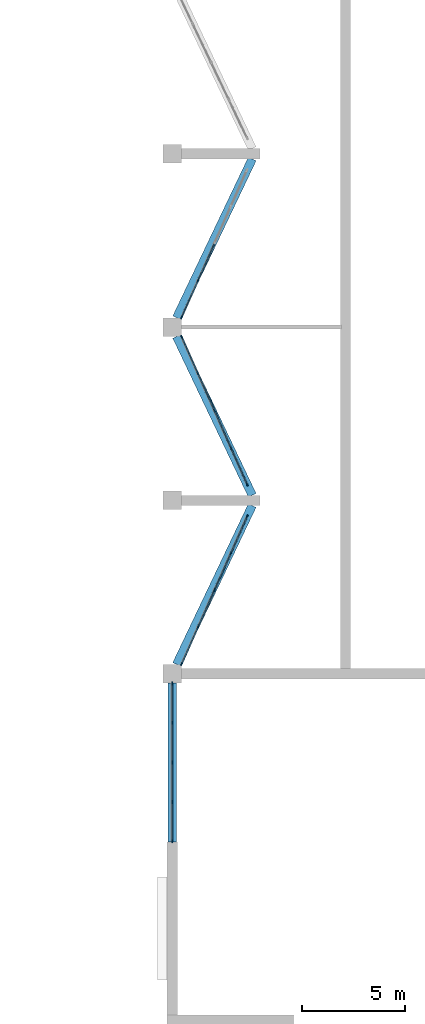
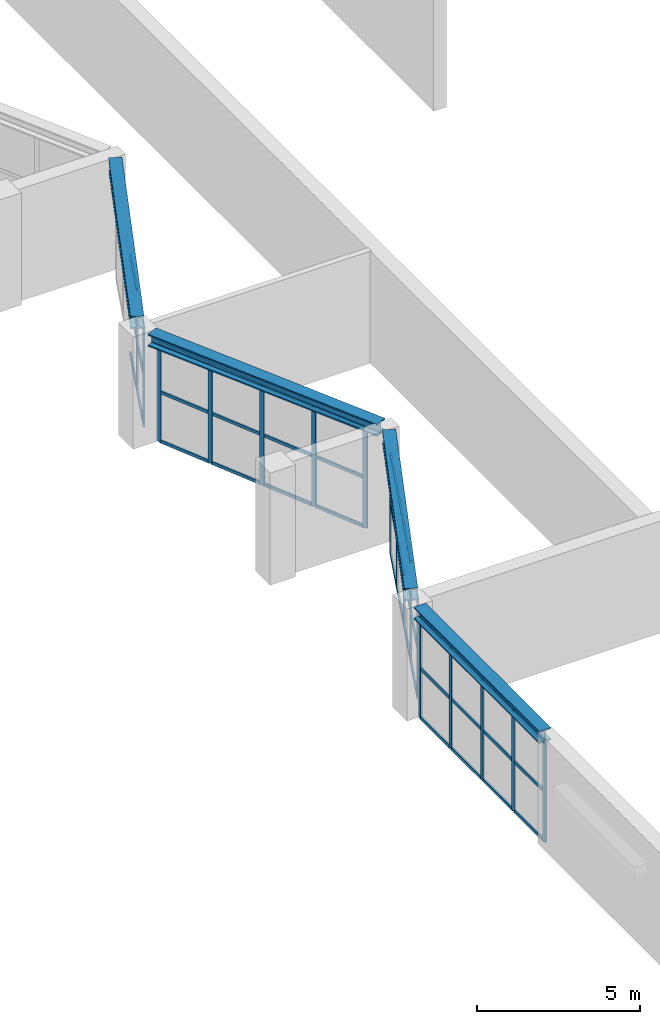
# One storey, part 19 of 51: 59 members, 4 beams, 4 elements without a shape of their own.
"""IFC4 building model written with IfcOpenShell, lengths in metres."""

from ifc_helpers import new_model, si_unit, direction, frame, origin, origin_2d, place, context, subcontext, project, spatial, rectangle, i_section, extrude, material, layer, layer_set, material_profile, profile_set, type_object, element, aggregate, save


model = new_model("IFC4")

# Units and contexts
model_context = context("Model", 3, precision=1e-05, world=origin(), true_north=direction((0.0, 1.0)))
body_context = subcontext(model_context, "Body", "Model", "MODEL_VIEW")
ifc_project = project(units=[si_unit("LENGTHUNIT", "METRE"), si_unit("AREAUNIT", "SQUARE_METRE"), si_unit("VOLUMEUNIT", "CUBIC_METRE"), si_unit("PLANEANGLEUNIT", "RADIAN"), si_unit("MASSUNIT", "GRAM", prefix="KILO")], contexts=[model_context])

# Site, building, storey
site_placement = place(None, origin())
site = spatial("IfcSite", under=ifc_project, at=site_placement, CompositionType="ELEMENT")
building_placement = place(site_placement, origin())
building = spatial("IfcBuilding", under=site, at=building_placement, Name="Cresset Court Congress Hotel", CompositionType="ELEMENT")
storey_placement = place(building_placement, frame((0.0, 0.0, 18.60009765625)))
storey = spatial("IfcBuildingStorey", under=building, at=storey_placement, Name="L04", CompositionType="ELEMENT", Elevation=18.60009765625)

# Curtain wall, members
ifc_material_1 = material(Name="Aluminium and glass", Category="aluminium")
ifc_layer = layer(ifc_material_1, 0.199951171875)
ifc_layer_set = layer_set([ifc_layer], Name="Clerestory curtain wall 1925 module")
curtain_wall_type = type_object("IfcCurtainWallType", Name="Clerestory curtain wall 1925 module", PredefinedType="NOTDEFINED", material=ifc_layer_set)
curtain_wall_1_placement = place(storey_placement, origin())
curtain_wall_1 = element("IfcCurtainWall", 1, at=curtain_wall_1_placement, inside=storey, type_object=curtain_wall_type, Name="Clerestory CX-04W2", PredefinedType="NOTDEFINED")
ifc_material_2 = material(Name="Anodised aluminium", Category="aluminium")
ifc_material_profile_1 = material_profile(ifc_material_2, rectangle(XDim=0.06005859375, YDim=0.159912109375, at=origin_2d()), Name="AL60x160")
ifc_profile_set_1 = profile_set([ifc_material_profile_1], Name="Anodised aluminium")
member_type_1 = type_object("IfcMemberType", Name="Curtain wall mullion 60x160", PredefinedType="MULLION", material=ifc_profile_set_1)
member_1_placement = place(storey_placement, frame((60.048095703125, 94.64990234375, 0.0), z_axis=(0.0, 0.0, 1.0), x_axis=(0.914147820268, -0.405381009298, 0.0)))
member_1 = element("IfcMember", 2, at=member_1_placement, type_object=member_type_1, Name="C-X5 mullion 4", PredefinedType="MULLION", context=body_context, shape_type="SweptSolid", body=[
    extrude(rectangle(XDim=0.06005859375, YDim=0.159912109375, at=origin_2d()), origin(), (0.0, 0.0, 1.0), 3.741943359375),
])
member_2_placement = place(storey_placement, frame((59.26220703125, 92.87744140625, 0.0), z_axis=(0.0, 0.0, 1.0), x_axis=(0.914147820268, -0.405381009298, 0.0)))
member_2 = element("IfcMember", 3, at=member_2_placement, type_object=member_type_1, Name="C-X5 mullion 5", PredefinedType="MULLION", context=body_context, shape_type="SweptSolid", body=[
    extrude(rectangle(XDim=0.06005859375, YDim=0.159912109375, at=origin_2d()), origin(), (0.0, 0.0, 1.0), 3.741943359375),
])

curtain_wall_2_placement = place(storey_placement, origin())
curtain_wall_2 = element("IfcCurtainWall", 4, at=curtain_wall_2_placement, inside=storey, type_object=curtain_wall_type, Name="Clerestory CX-04W3", PredefinedType="NOTDEFINED")
member_3_placement = place(storey_placement, frame((59.26220703125, 91.922607421875, 0.0), z_axis=(0.0, 0.0, 1.0), x_axis=(0.914147820268, 0.405381009298, 0.0)))
member_3 = element("IfcMember", 5, at=member_3_placement, type_object=member_type_1, Name="C-X5 mullion 1", PredefinedType="MULLION", context=body_context, shape_type="SweptSolid", body=[
    extrude(rectangle(XDim=0.06005859375, YDim=0.159912109375, at=origin_2d()), origin(), (0.0, 0.0, 1.0), 3.741943359375),
])
member_4_placement = place(storey_placement, frame((60.048095703125, 90.14990234375, 0.0), z_axis=(0.0, 0.0, 1.0), x_axis=(0.914147820268, 0.405381009298, 0.0)))
member_4 = element("IfcMember", 6, at=member_4_placement, type_object=member_type_1, Name="C-X5 mullion 2", PredefinedType="MULLION", context=body_context, shape_type="SweptSolid", body=[
    extrude(rectangle(XDim=0.06005859375, YDim=0.159912109375, at=origin_2d()), origin(), (0.0, 0.0, 1.0), 3.741943359375),
])
member_5_placement = place(storey_placement, frame((60.846435546875, 88.35009765625, 0.0), z_axis=(0.0, 0.0, 1.0), x_axis=(0.914147820268, 0.405381009298, 0.0)))
member_5 = element("IfcMember", 7, at=member_5_placement, type_object=member_type_1, Name="C-X5 mullion 3", PredefinedType="MULLION", context=body_context, shape_type="SweptSolid", body=[
    extrude(rectangle(XDim=0.06005859375, YDim=0.159912109375, at=origin_2d()), origin(), (0.0, 0.0, 1.0), 3.741943359375),
])
member_6_placement = place(storey_placement, frame((61.64453125, 86.550048828125, 0.0), z_axis=(0.0, 0.0, 1.0), x_axis=(0.914147820268, 0.405381009298, 0.0)))
member_6 = element("IfcMember", 8, at=member_6_placement, type_object=member_type_1, Name="C-X5 mullion 4", PredefinedType="MULLION", context=body_context, shape_type="SweptSolid", body=[
    extrude(rectangle(XDim=0.06005859375, YDim=0.159912109375, at=origin_2d()), origin(), (0.0, 0.0, 1.0), 3.741943359375),
])
member_7_placement = place(storey_placement, frame((62.4306640625, 84.77734375, 0.0), z_axis=(0.0, 0.0, 1.0), x_axis=(0.914147820268, 0.405381009298, 0.0)))
member_7 = element("IfcMember", 9, at=member_7_placement, type_object=member_type_1, Name="C-X5 mullion 5", PredefinedType="MULLION", context=body_context, shape_type="SweptSolid", body=[
    extrude(rectangle(XDim=0.06005859375, YDim=0.159912109375, at=origin_2d()), origin(), (0.0, 0.0, 1.0), 3.741943359375),
])

curtain_wall_3_placement = place(storey_placement, origin())
curtain_wall_3 = element("IfcCurtainWall", 10, at=curtain_wall_3_placement, inside=storey, type_object=curtain_wall_type, Name="Clerestory CX-04W4", PredefinedType="NOTDEFINED")
member_8_placement = place(storey_placement, frame((62.4306640625, 83.22265625, 0.0), z_axis=(0.0, 0.0, 1.0), x_axis=(0.914147820268, -0.405381009298, 0.0)))
member_8 = element("IfcMember", 11, at=member_8_placement, type_object=member_type_1, Name="C-X5 mullion 1", PredefinedType="MULLION", context=body_context, shape_type="SweptSolid", body=[
    extrude(rectangle(XDim=0.06005859375, YDim=0.159912109375, at=origin_2d()), origin(), (0.0, 0.0, 1.0), 3.741943359375),
])
member_9_placement = place(storey_placement, frame((61.64453125, 81.449951171875, 0.0), z_axis=(0.0, 0.0, 1.0), x_axis=(0.914147820268, -0.405381009298, 0.0)))
member_9 = element("IfcMember", 12, at=member_9_placement, type_object=member_type_1, Name="C-X5 mullion 2", PredefinedType="MULLION", context=body_context, shape_type="SweptSolid", body=[
    extrude(rectangle(XDim=0.06005859375, YDim=0.159912109375, at=origin_2d()), origin(), (0.0, 0.0, 1.0), 3.741943359375),
])
member_10_placement = place(storey_placement, frame((60.846435546875, 79.64990234375, 0.0), z_axis=(0.0, 0.0, 1.0), x_axis=(0.914147820268, -0.405381009298, 0.0)))
member_10 = element("IfcMember", 13, at=member_10_placement, type_object=member_type_1, Name="C-X5 mullion 3", PredefinedType="MULLION", context=body_context, shape_type="SweptSolid", body=[
    extrude(rectangle(XDim=0.06005859375, YDim=0.159912109375, at=origin_2d()), origin(), (0.0, 0.0, 1.0), 3.741943359375),
])
member_11_placement = place(storey_placement, frame((60.048095703125, 77.85009765625, 0.0), z_axis=(0.0, 0.0, 1.0), x_axis=(0.914147820268, -0.405381009298, 0.0)))
member_11 = element("IfcMember", 14, at=member_11_placement, type_object=member_type_1, Name="C-X5 mullion 4", PredefinedType="MULLION", context=body_context, shape_type="SweptSolid", body=[
    extrude(rectangle(XDim=0.06005859375, YDim=0.159912109375, at=origin_2d()), origin(), (0.0, 0.0, 1.0), 3.741943359375),
])
member_12_placement = place(storey_placement, frame((59.26220703125, 76.077392578125, 0.0), z_axis=(0.0, 0.0, 1.0), x_axis=(0.914147820268, -0.405381009298, 0.0)))
member_12 = element("IfcMember", 15, at=member_12_placement, type_object=member_type_1, Name="C-X5 mullion 5", PredefinedType="MULLION", context=body_context, shape_type="SweptSolid", body=[
    extrude(rectangle(XDim=0.06005859375, YDim=0.159912109375, at=origin_2d()), origin(), (0.0, 0.0, 1.0), 3.741943359375),
])

curtain_wall_4_placement = place(storey_placement, origin())
curtain_wall_4 = element("IfcCurtainWall", 16, at=curtain_wall_4_placement, inside=storey, type_object=curtain_wall_type, Name="Clerestory CX-04W5", PredefinedType="NOTDEFINED")
member_13_placement = place(storey_placement, frame((58.800048828125, 75.1201171875, 0.0), z_axis=(0.0, 0.0, 1.0), x_axis=(1.0, 0.0, 0.0)))
member_13 = element("IfcMember", 17, at=member_13_placement, type_object=member_type_1, Name="C-X5 mullion 1", PredefinedType="MULLION", context=body_context, shape_type="SweptSolid", body=[
    extrude(rectangle(XDim=0.06005859375, YDim=0.159912109375, at=origin_2d()), origin(), (0.0, 0.0, 1.0), 3.741943359375),
])
member_14_placement = place(storey_placement, frame((58.800048828125, 73.22509765625, 0.0), z_axis=(0.0, 0.0, 1.0), x_axis=(1.0, 0.0, 0.0)))
member_14 = element("IfcMember", 18, at=member_14_placement, type_object=member_type_1, Name="C-X5 mullion 2", PredefinedType="MULLION", context=body_context, shape_type="SweptSolid", body=[
    extrude(rectangle(XDim=0.06005859375, YDim=0.159912109375, at=origin_2d()), origin(), (0.0, 0.0, 1.0), 3.741943359375),
])
member_15_placement = place(storey_placement, frame((58.800048828125, 71.300048828125, 0.0), z_axis=(0.0, 0.0, 1.0), x_axis=(1.0, 0.0, 0.0)))
member_15 = element("IfcMember", 19, at=member_15_placement, type_object=member_type_1, Name="C-X5 mullion 3", PredefinedType="MULLION", context=body_context, shape_type="SweptSolid", body=[
    extrude(rectangle(XDim=0.06005859375, YDim=0.159912109375, at=origin_2d()), origin(), (0.0, 0.0, 1.0), 3.741943359375),
])
member_16_placement = place(storey_placement, frame((58.800048828125, 69.375, 0.0), z_axis=(0.0, 0.0, 1.0), x_axis=(1.0, 0.0, 0.0)))
member_16 = element("IfcMember", 20, at=member_16_placement, type_object=member_type_1, Name="C-X5 mullion 4", PredefinedType="MULLION", context=body_context, shape_type="SweptSolid", body=[
    extrude(rectangle(XDim=0.06005859375, YDim=0.159912109375, at=origin_2d()), origin(), (0.0, 0.0, 1.0), 3.741943359375),
])
member_17_placement = place(storey_placement, frame((58.800048828125, 67.47998046875, 0.0), z_axis=(0.0, 0.0, 1.0), x_axis=(1.0, 0.0, 0.0)))
member_17 = element("IfcMember", 21, at=member_17_placement, type_object=member_type_1, Name="C-X5 mullion 5", PredefinedType="MULLION", context=body_context, shape_type="SweptSolid", body=[
    extrude(rectangle(XDim=0.06005859375, YDim=0.159912109375, at=origin_2d()), origin(), (0.0, 0.0, 1.0), 3.741943359375),
])

# Member
ifc_material_3 = material(Name="Anodised aluminium", Category="aluminium")
ifc_material_profile_2 = material_profile(ifc_material_3, rectangle(XDim=0.06005859375, YDim=0.1201171875, at=origin_2d()), Name="AL60x120")
ifc_profile_set_2 = profile_set([ifc_material_profile_2], Name="Anodised aluminium")
member_type_2 = type_object("IfcMemberType", Name="Curtain wall transom 60x120", PredefinedType="USERDEFINED", material=ifc_profile_set_2)
member_18_placement = place(storey_placement, frame((60.834228515625, 96.422607421875, 0.02978515625), z_axis=(-0.405402653015, -0.914138222004, 0.0), x_axis=(0.914138222004, -0.405402653015, 0.0)))
member_18 = element("IfcMember", 22, at=member_18_placement, type_object=member_type_2, Name="C-X5 transom 3.1", ObjectType="TRANSOM", PredefinedType="USERDEFINED", context=body_context, shape_type="SweptSolid", body=[
    extrude(rectangle(XDim=0.06005859375, YDim=0.1201171875, at=origin_2d()), origin(), (0.0, 0.0, 1.0), 1.908935546875),
])

member_19_placement = place(storey_placement, frame((60.834228515625, 96.422607421875, 1.870849609375), z_axis=(-0.405402653015, -0.914138222004, 0.0), x_axis=(0.914138222004, -0.405402653015, 0.0)))
member_19 = element("IfcMember", 23, at=member_19_placement, type_object=member_type_2, Name="C-X5 transom 3.2", ObjectType="TRANSOM", PredefinedType="USERDEFINED", context=body_context, shape_type="SweptSolid", body=[
    extrude(rectangle(XDim=0.06005859375, YDim=0.1201171875, at=origin_2d()), origin(), (0.0, 0.0, 1.0), 1.908935546875),
])

member_20_placement = place(storey_placement, frame((60.834228515625, 96.422607421875, 3.7119140625), z_axis=(-0.405402653015, -0.914138222004, 0.0), x_axis=(0.914138222004, -0.405402653015, 0.0)))
member_20 = element("IfcMember", 24, at=member_20_placement, type_object=member_type_2, Name="C-X5 transom 3.3", ObjectType="TRANSOM", PredefinedType="USERDEFINED", context=body_context, shape_type="SweptSolid", body=[
    extrude(rectangle(XDim=0.06005859375, YDim=0.1201171875, at=origin_2d()), origin(), (0.0, 0.0, 1.0), 1.908935546875),
])

member_21_placement = place(storey_placement, frame((60.0361328125, 94.62255859375, 0.02978515625), z_axis=(-0.405366806366, -0.914154118459, 0.0), x_axis=(0.914154118459, -0.405366806366, 0.0)))
member_21 = element("IfcMember", 25, at=member_21_placement, type_object=member_type_2, Name="C-X5 transom 4.1", ObjectType="TRANSOM", PredefinedType="USERDEFINED", context=body_context, shape_type="SweptSolid", body=[
    extrude(rectangle(XDim=0.06005859375, YDim=0.1201171875, at=origin_2d()), origin(), (0.0, 0.0, 1.0), 1.879150390625),
])

member_22_placement = place(storey_placement, frame((60.0361328125, 94.62255859375, 1.870849609375), z_axis=(-0.405366806366, -0.914154118459, 0.0), x_axis=(0.914154118459, -0.405366806366, 0.0)))
member_22 = element("IfcMember", 26, at=member_22_placement, type_object=member_type_2, Name="C-X5 transom 4.2", ObjectType="TRANSOM", PredefinedType="USERDEFINED", context=body_context, shape_type="SweptSolid", body=[
    extrude(rectangle(XDim=0.06005859375, YDim=0.1201171875, at=origin_2d()), origin(), (0.0, 0.0, 1.0), 1.879150390625),
])

member_23_placement = place(storey_placement, frame((60.0361328125, 94.62255859375, 3.7119140625), z_axis=(-0.405366806366, -0.914154118459, 0.0), x_axis=(0.914154118459, -0.405366806366, 0.0)))
member_23 = element("IfcMember", 27, at=member_23_placement, type_object=member_type_2, Name="C-X5 transom 4.3", ObjectType="TRANSOM", PredefinedType="USERDEFINED", context=body_context, shape_type="SweptSolid", body=[
    extrude(rectangle(XDim=0.06005859375, YDim=0.1201171875, at=origin_2d()), origin(), (0.0, 0.0, 1.0), 1.879150390625),
])

aggregate(curtain_wall_1, [member_1, member_2, member_18, member_19, member_20, member_21, member_22, member_23])

member_24_placement = place(storey_placement, frame((59.2744140625, 91.895263671875, 0.02978515625), z_axis=(0.405366806366, -0.914154118459, 0.0), x_axis=(0.914154118459, 0.405366806366, 0.0)))
member_24 = element("IfcMember", 28, at=member_24_placement, type_object=member_type_2, Name="C-X5 transom 1.1", ObjectType="TRANSOM", PredefinedType="USERDEFINED", context=body_context, shape_type="SweptSolid", body=[
    extrude(rectangle(XDim=0.06005859375, YDim=0.1201171875, at=origin_2d()), origin(), (0.0, 0.0, 1.0), 1.879150390625),
])

member_25_placement = place(storey_placement, frame((59.2744140625, 91.895263671875, 1.870849609375), z_axis=(0.405366806366, -0.914154118459, 0.0), x_axis=(0.914154118459, 0.405366806366, 0.0)))
member_25 = element("IfcMember", 29, at=member_25_placement, type_object=member_type_2, Name="C-X5 transom 1.2", ObjectType="TRANSOM", PredefinedType="USERDEFINED", context=body_context, shape_type="SweptSolid", body=[
    extrude(rectangle(XDim=0.06005859375, YDim=0.1201171875, at=origin_2d()), origin(), (0.0, 0.0, 1.0), 1.879150390625),
])

member_26_placement = place(storey_placement, frame((59.2744140625, 91.895263671875, 3.7119140625), z_axis=(0.405366806366, -0.914154118459, 0.0), x_axis=(0.914154118459, 0.405366806366, 0.0)))
member_26 = element("IfcMember", 30, at=member_26_placement, type_object=member_type_2, Name="C-X5 transom 1.3", ObjectType="TRANSOM", PredefinedType="USERDEFINED", context=body_context, shape_type="SweptSolid", body=[
    extrude(rectangle(XDim=0.06005859375, YDim=0.1201171875, at=origin_2d()), origin(), (0.0, 0.0, 1.0), 1.879150390625),
])

member_27_placement = place(storey_placement, frame((60.060302734375, 90.12255859375, 0.02978515625), z_axis=(0.405402653015, -0.914138222004, 0.0), x_axis=(0.914138222004, 0.405402653015, 0.0)))
member_27 = element("IfcMember", 31, at=member_27_placement, type_object=member_type_2, Name="C-X5 transom 2.1", ObjectType="TRANSOM", PredefinedType="USERDEFINED", context=body_context, shape_type="SweptSolid", body=[
    extrude(rectangle(XDim=0.06005859375, YDim=0.1201171875, at=origin_2d()), origin(), (0.0, 0.0, 1.0), 1.908935546875),
])

member_28_placement = place(storey_placement, frame((60.060302734375, 90.12255859375, 1.870849609375), z_axis=(0.405402653015, -0.914138222004, 0.0), x_axis=(0.914138222004, 0.405402653015, 0.0)))
member_28 = element("IfcMember", 32, at=member_28_placement, type_object=member_type_2, Name="C-X5 transom 2.2", ObjectType="TRANSOM", PredefinedType="USERDEFINED", context=body_context, shape_type="SweptSolid", body=[
    extrude(rectangle(XDim=0.06005859375, YDim=0.1201171875, at=origin_2d()), origin(), (0.0, 0.0, 1.0), 1.908935546875),
])

member_29_placement = place(storey_placement, frame((60.060302734375, 90.12255859375, 3.7119140625), z_axis=(0.405402653015, -0.914138222004, 0.0), x_axis=(0.914138222004, 0.405402653015, 0.0)))
member_29 = element("IfcMember", 33, at=member_29_placement, type_object=member_type_2, Name="C-X5 transom 2.3", ObjectType="TRANSOM", PredefinedType="USERDEFINED", context=body_context, shape_type="SweptSolid", body=[
    extrude(rectangle(XDim=0.06005859375, YDim=0.1201171875, at=origin_2d()), origin(), (0.0, 0.0, 1.0), 1.908935546875),
])

member_30_placement = place(storey_placement, frame((60.858642578125, 88.322509765625, 0.02978515625), z_axis=(0.405402653015, -0.914138222004, 0.0), x_axis=(0.914138222004, 0.405402653015, 0.0)))
member_30 = element("IfcMember", 34, at=member_30_placement, type_object=member_type_2, Name="C-X5 transom 3.1", ObjectType="TRANSOM", PredefinedType="USERDEFINED", context=body_context, shape_type="SweptSolid", body=[
    extrude(rectangle(XDim=0.06005859375, YDim=0.1201171875, at=origin_2d()), origin(), (0.0, 0.0, 1.0), 1.908935546875),
])

member_31_placement = place(storey_placement, frame((60.858642578125, 88.322509765625, 1.870849609375), z_axis=(0.405402653015, -0.914138222004, 0.0), x_axis=(0.914138222004, 0.405402653015, 0.0)))
member_31 = element("IfcMember", 35, at=member_31_placement, type_object=member_type_2, Name="C-X5 transom 3.2", ObjectType="TRANSOM", PredefinedType="USERDEFINED", context=body_context, shape_type="SweptSolid", body=[
    extrude(rectangle(XDim=0.06005859375, YDim=0.1201171875, at=origin_2d()), origin(), (0.0, 0.0, 1.0), 1.908935546875),
])

member_32_placement = place(storey_placement, frame((60.858642578125, 88.322509765625, 3.7119140625), z_axis=(0.405402653015, -0.914138222004, 0.0), x_axis=(0.914138222004, 0.405402653015, 0.0)))
member_32 = element("IfcMember", 36, at=member_32_placement, type_object=member_type_2, Name="C-X5 transom 3.3", ObjectType="TRANSOM", PredefinedType="USERDEFINED", context=body_context, shape_type="SweptSolid", body=[
    extrude(rectangle(XDim=0.06005859375, YDim=0.1201171875, at=origin_2d()), origin(), (0.0, 0.0, 1.0), 1.908935546875),
])

member_33_placement = place(storey_placement, frame((61.65673828125, 86.5224609375, 0.02978515625), z_axis=(0.405414957632, -0.914132765045, 0.0), x_axis=(0.914132765045, 0.405414957632, 0.0)))
member_33 = element("IfcMember", 37, at=member_33_placement, type_object=member_type_2, Name="C-X5 transom 4.1", ObjectType="TRANSOM", PredefinedType="USERDEFINED", context=body_context, shape_type="SweptSolid", body=[
    extrude(rectangle(XDim=0.06005859375, YDim=0.1201171875, at=origin_2d()), origin(), (0.0, 0.0, 1.0), 1.87890625),
])

member_34_placement = place(storey_placement, frame((61.65673828125, 86.5224609375, 1.870849609375), z_axis=(0.405414957632, -0.914132765045, 0.0), x_axis=(0.914132765045, 0.405414957632, 0.0)))
member_34 = element("IfcMember", 38, at=member_34_placement, type_object=member_type_2, Name="C-X5 transom 4.2", ObjectType="TRANSOM", PredefinedType="USERDEFINED", context=body_context, shape_type="SweptSolid", body=[
    extrude(rectangle(XDim=0.06005859375, YDim=0.1201171875, at=origin_2d()), origin(), (0.0, 0.0, 1.0), 1.87890625),
])

member_35_placement = place(storey_placement, frame((61.65673828125, 86.5224609375, 3.7119140625), z_axis=(0.405414957632, -0.914132765045, 0.0), x_axis=(0.914132765045, 0.405414957632, 0.0)))
member_35 = element("IfcMember", 39, at=member_35_placement, type_object=member_type_2, Name="C-X5 transom 4.3", ObjectType="TRANSOM", PredefinedType="USERDEFINED", context=body_context, shape_type="SweptSolid", body=[
    extrude(rectangle(XDim=0.06005859375, YDim=0.1201171875, at=origin_2d()), origin(), (0.0, 0.0, 1.0), 1.87890625),
])

aggregate(curtain_wall_2, [member_3, member_4, member_5, member_6, member_7, member_24, member_25, member_26, member_27, member_28, member_29, member_30, member_31, member_32, member_33, member_34, member_35])

member_36_placement = place(storey_placement, frame((62.41845703125, 83.195068359375, 0.02978515625), z_axis=(-0.405414957632, -0.914132765045, 0.0), x_axis=(0.914132765045, -0.405414957632, 0.0)))
member_36 = element("IfcMember", 40, at=member_36_placement, type_object=member_type_2, Name="C-X5 transom 1.1", ObjectType="TRANSOM", PredefinedType="USERDEFINED", context=body_context, shape_type="SweptSolid", body=[
    extrude(rectangle(XDim=0.06005859375, YDim=0.1201171875, at=origin_2d()), origin(), (0.0, 0.0, 1.0), 1.87890625),
])

member_37_placement = place(storey_placement, frame((62.41845703125, 83.195068359375, 1.870849609375), z_axis=(-0.405414957632, -0.914132765045, 0.0), x_axis=(0.914132765045, -0.405414957632, 0.0)))
member_37 = element("IfcMember", 41, at=member_37_placement, type_object=member_type_2, Name="C-X5 transom 1.2", ObjectType="TRANSOM", PredefinedType="USERDEFINED", context=body_context, shape_type="SweptSolid", body=[
    extrude(rectangle(XDim=0.06005859375, YDim=0.1201171875, at=origin_2d()), origin(), (0.0, 0.0, 1.0), 1.87890625),
])

member_38_placement = place(storey_placement, frame((62.41845703125, 83.195068359375, 3.7119140625), z_axis=(-0.405414957632, -0.914132765045, 0.0), x_axis=(0.914132765045, -0.405414957632, 0.0)))
member_38 = element("IfcMember", 42, at=member_38_placement, type_object=member_type_2, Name="C-X5 transom 1.3", ObjectType="TRANSOM", PredefinedType="USERDEFINED", context=body_context, shape_type="SweptSolid", body=[
    extrude(rectangle(XDim=0.06005859375, YDim=0.1201171875, at=origin_2d()), origin(), (0.0, 0.0, 1.0), 1.87890625),
])

member_39_placement = place(storey_placement, frame((61.632568359375, 81.422607421875, 0.02978515625), z_axis=(-0.405402653015, -0.914138222004, 0.0), x_axis=(0.914138222004, -0.405402653015, 0.0)))
member_39 = element("IfcMember", 43, at=member_39_placement, type_object=member_type_2, Name="C-X5 transom 2.1", ObjectType="TRANSOM", PredefinedType="USERDEFINED", context=body_context, shape_type="SweptSolid", body=[
    extrude(rectangle(XDim=0.06005859375, YDim=0.1201171875, at=origin_2d()), origin(), (0.0, 0.0, 1.0), 1.908935546875),
])

member_40_placement = place(storey_placement, frame((61.632568359375, 81.422607421875, 1.870849609375), z_axis=(-0.405402653015, -0.914138222004, 0.0), x_axis=(0.914138222004, -0.405402653015, 0.0)))
member_40 = element("IfcMember", 44, at=member_40_placement, type_object=member_type_2, Name="C-X5 transom 2.2", ObjectType="TRANSOM", PredefinedType="USERDEFINED", context=body_context, shape_type="SweptSolid", body=[
    extrude(rectangle(XDim=0.06005859375, YDim=0.1201171875, at=origin_2d()), origin(), (0.0, 0.0, 1.0), 1.908935546875),
])

member_41_placement = place(storey_placement, frame((61.632568359375, 81.422607421875, 3.7119140625), z_axis=(-0.405402653015, -0.914138222004, 0.0), x_axis=(0.914138222004, -0.405402653015, 0.0)))
member_41 = element("IfcMember", 45, at=member_41_placement, type_object=member_type_2, Name="C-X5 transom 2.3", ObjectType="TRANSOM", PredefinedType="USERDEFINED", context=body_context, shape_type="SweptSolid", body=[
    extrude(rectangle(XDim=0.06005859375, YDim=0.1201171875, at=origin_2d()), origin(), (0.0, 0.0, 1.0), 1.908935546875),
])

member_42_placement = place(storey_placement, frame((60.834228515625, 79.62255859375, 0.02978515625), z_axis=(-0.405402653015, -0.914138222004, 0.0), x_axis=(0.914138222004, -0.405402653015, 0.0)))
member_42 = element("IfcMember", 46, at=member_42_placement, type_object=member_type_2, Name="C-X5 transom 3.1", ObjectType="TRANSOM", PredefinedType="USERDEFINED", context=body_context, shape_type="SweptSolid", body=[
    extrude(rectangle(XDim=0.06005859375, YDim=0.1201171875, at=origin_2d()), origin(), (0.0, 0.0, 1.0), 1.908935546875),
])

member_43_placement = place(storey_placement, frame((60.834228515625, 79.62255859375, 1.870849609375), z_axis=(-0.405402653015, -0.914138222004, 0.0), x_axis=(0.914138222004, -0.405402653015, 0.0)))
member_43 = element("IfcMember", 47, at=member_43_placement, type_object=member_type_2, Name="C-X5 transom 3.2", ObjectType="TRANSOM", PredefinedType="USERDEFINED", context=body_context, shape_type="SweptSolid", body=[
    extrude(rectangle(XDim=0.06005859375, YDim=0.1201171875, at=origin_2d()), origin(), (0.0, 0.0, 1.0), 1.908935546875),
])

member_44_placement = place(storey_placement, frame((60.834228515625, 79.62255859375, 3.7119140625), z_axis=(-0.405402653015, -0.914138222004, 0.0), x_axis=(0.914138222004, -0.405402653015, 0.0)))
member_44 = element("IfcMember", 48, at=member_44_placement, type_object=member_type_2, Name="C-X5 transom 3.3", ObjectType="TRANSOM", PredefinedType="USERDEFINED", context=body_context, shape_type="SweptSolid", body=[
    extrude(rectangle(XDim=0.06005859375, YDim=0.1201171875, at=origin_2d()), origin(), (0.0, 0.0, 1.0), 1.908935546875),
])

member_45_placement = place(storey_placement, frame((60.0361328125, 77.822509765625, 0.02978515625), z_axis=(-0.405366806366, -0.914154118459, 0.0), x_axis=(0.914154118459, -0.405366806366, 0.0)))
member_45 = element("IfcMember", 49, at=member_45_placement, type_object=member_type_2, Name="C-X5 transom 4.1", ObjectType="TRANSOM", PredefinedType="USERDEFINED", context=body_context, shape_type="SweptSolid", body=[
    extrude(rectangle(XDim=0.06005859375, YDim=0.1201171875, at=origin_2d()), origin(), (0.0, 0.0, 1.0), 1.879150390625),
])

member_46_placement = place(storey_placement, frame((60.0361328125, 77.822509765625, 1.870849609375), z_axis=(-0.405366806366, -0.914154118459, 0.0), x_axis=(0.914154118459, -0.405366806366, 0.0)))
member_46 = element("IfcMember", 50, at=member_46_placement, type_object=member_type_2, Name="C-X5 transom 4.2", ObjectType="TRANSOM", PredefinedType="USERDEFINED", context=body_context, shape_type="SweptSolid", body=[
    extrude(rectangle(XDim=0.06005859375, YDim=0.1201171875, at=origin_2d()), origin(), (0.0, 0.0, 1.0), 1.879150390625),
])

member_47_placement = place(storey_placement, frame((60.0361328125, 77.822509765625, 3.7119140625), z_axis=(-0.405366806366, -0.914154118459, 0.0), x_axis=(0.914154118459, -0.405366806366, 0.0)))
member_47 = element("IfcMember", 51, at=member_47_placement, type_object=member_type_2, Name="C-X5 transom 4.3", ObjectType="TRANSOM", PredefinedType="USERDEFINED", context=body_context, shape_type="SweptSolid", body=[
    extrude(rectangle(XDim=0.06005859375, YDim=0.1201171875, at=origin_2d()), origin(), (0.0, 0.0, 1.0), 1.879150390625),
])

aggregate(curtain_wall_3, [member_8, member_9, member_10, member_11, member_12, member_36, member_37, member_38, member_39, member_40, member_41, member_42, member_43, member_44, member_45, member_46, member_47])

member_48_placement = place(storey_placement, frame((58.800048828125, 75.090087890625, 0.02978515625), z_axis=(0.0, -1.0, 0.0), x_axis=(1.0, 0.0, 0.0)))
member_48 = element("IfcMember", 52, at=member_48_placement, type_object=member_type_2, Name="C-X5 transom 1.1", ObjectType="TRANSOM", PredefinedType="USERDEFINED", context=body_context, shape_type="SweptSolid", body=[
    extrude(rectangle(XDim=0.06005859375, YDim=0.1201171875, at=origin_2d()), origin(), (0.0, 0.0, 1.0), 1.835205078125),
])

member_49_placement = place(storey_placement, frame((58.800048828125, 75.090087890625, 1.870849609375), z_axis=(0.0, -1.0, 0.0), x_axis=(1.0, 0.0, 0.0)))
member_49 = element("IfcMember", 53, at=member_49_placement, type_object=member_type_2, Name="C-X5 transom 1.2", ObjectType="TRANSOM", PredefinedType="USERDEFINED", context=body_context, shape_type="SweptSolid", body=[
    extrude(rectangle(XDim=0.06005859375, YDim=0.1201171875, at=origin_2d()), origin(), (0.0, 0.0, 1.0), 1.835205078125),
])

member_50_placement = place(storey_placement, frame((58.800048828125, 75.090087890625, 3.7119140625), z_axis=(0.0, -1.0, 0.0), x_axis=(1.0, 0.0, 0.0)))
member_50 = element("IfcMember", 54, at=member_50_placement, type_object=member_type_2, Name="C-X5 transom 1.3", ObjectType="TRANSOM", PredefinedType="USERDEFINED", context=body_context, shape_type="SweptSolid", body=[
    extrude(rectangle(XDim=0.06005859375, YDim=0.1201171875, at=origin_2d()), origin(), (0.0, 0.0, 1.0), 1.835205078125),
])

member_51_placement = place(storey_placement, frame((58.800048828125, 73.195068359375, 0.02978515625), z_axis=(0.0, -1.0, 0.0), x_axis=(1.0, 0.0, 0.0)))
member_51 = element("IfcMember", 55, at=member_51_placement, type_object=member_type_2, Name="C-X5 transom 2.1", ObjectType="TRANSOM", PredefinedType="USERDEFINED", context=body_context, shape_type="SweptSolid", body=[
    extrude(rectangle(XDim=0.06005859375, YDim=0.1201171875, at=origin_2d()), origin(), (0.0, 0.0, 1.0), 1.864990234375),
])

member_52_placement = place(storey_placement, frame((58.800048828125, 73.195068359375, 1.870849609375), z_axis=(0.0, -1.0, 0.0), x_axis=(1.0, 0.0, 0.0)))
member_52 = element("IfcMember", 56, at=member_52_placement, type_object=member_type_2, Name="C-X5 transom 2.2", ObjectType="TRANSOM", PredefinedType="USERDEFINED", context=body_context, shape_type="SweptSolid", body=[
    extrude(rectangle(XDim=0.06005859375, YDim=0.1201171875, at=origin_2d()), origin(), (0.0, 0.0, 1.0), 1.864990234375),
])

member_53_placement = place(storey_placement, frame((58.800048828125, 73.195068359375, 3.7119140625), z_axis=(0.0, -1.0, 0.0), x_axis=(1.0, 0.0, 0.0)))
member_53 = element("IfcMember", 57, at=member_53_placement, type_object=member_type_2, Name="C-X5 transom 2.3", ObjectType="TRANSOM", PredefinedType="USERDEFINED", context=body_context, shape_type="SweptSolid", body=[
    extrude(rectangle(XDim=0.06005859375, YDim=0.1201171875, at=origin_2d()), origin(), (0.0, 0.0, 1.0), 1.864990234375),
])

member_54_placement = place(storey_placement, frame((58.800048828125, 71.27001953125, 0.02978515625), z_axis=(0.0, -1.0, 0.0), x_axis=(1.0, 0.0, 0.0)))
member_54 = element("IfcMember", 58, at=member_54_placement, type_object=member_type_2, Name="C-X5 transom 3.1", ObjectType="TRANSOM", PredefinedType="USERDEFINED", context=body_context, shape_type="SweptSolid", body=[
    extrude(rectangle(XDim=0.06005859375, YDim=0.1201171875, at=origin_2d()), origin(), (0.0, 0.0, 1.0), 1.864990234375),
])

member_55_placement = place(storey_placement, frame((58.800048828125, 71.27001953125, 1.870849609375), z_axis=(0.0, -1.0, 0.0), x_axis=(1.0, 0.0, 0.0)))
member_55 = element("IfcMember", 59, at=member_55_placement, type_object=member_type_2, Name="C-X5 transom 3.2", ObjectType="TRANSOM", PredefinedType="USERDEFINED", context=body_context, shape_type="SweptSolid", body=[
    extrude(rectangle(XDim=0.06005859375, YDim=0.1201171875, at=origin_2d()), origin(), (0.0, 0.0, 1.0), 1.864990234375),
])

member_56_placement = place(storey_placement, frame((58.800048828125, 71.27001953125, 3.7119140625), z_axis=(0.0, -1.0, 0.0), x_axis=(1.0, 0.0, 0.0)))
member_56 = element("IfcMember", 60, at=member_56_placement, type_object=member_type_2, Name="C-X5 transom 3.3", ObjectType="TRANSOM", PredefinedType="USERDEFINED", context=body_context, shape_type="SweptSolid", body=[
    extrude(rectangle(XDim=0.06005859375, YDim=0.1201171875, at=origin_2d()), origin(), (0.0, 0.0, 1.0), 1.864990234375),
])

member_57_placement = place(storey_placement, frame((58.800048828125, 69.344970703125, 0.02978515625), z_axis=(0.0, -1.0, 0.0), x_axis=(1.0, 0.0, 0.0)))
member_57 = element("IfcMember", 61, at=member_57_placement, type_object=member_type_2, Name="C-X5 transom 4.1", ObjectType="TRANSOM", PredefinedType="USERDEFINED", context=body_context, shape_type="SweptSolid", body=[
    extrude(rectangle(XDim=0.06005859375, YDim=0.1201171875, at=origin_2d()), origin(), (0.0, 0.0, 1.0), 1.8349609375),
])

member_58_placement = place(storey_placement, frame((58.800048828125, 69.344970703125, 1.870849609375), z_axis=(0.0, -1.0, 0.0), x_axis=(1.0, 0.0, 0.0)))
member_58 = element("IfcMember", 62, at=member_58_placement, type_object=member_type_2, Name="C-X5 transom 4.2", ObjectType="TRANSOM", PredefinedType="USERDEFINED", context=body_context, shape_type="SweptSolid", body=[
    extrude(rectangle(XDim=0.06005859375, YDim=0.1201171875, at=origin_2d()), origin(), (0.0, 0.0, 1.0), 1.8349609375),
])

member_59_placement = place(storey_placement, frame((58.800048828125, 69.344970703125, 3.7119140625), z_axis=(0.0, -1.0, 0.0), x_axis=(1.0, 0.0, 0.0)))
member_59 = element("IfcMember", 63, at=member_59_placement, type_object=member_type_2, Name="C-X5 transom 4.3", ObjectType="TRANSOM", PredefinedType="USERDEFINED", context=body_context, shape_type="SweptSolid", body=[
    extrude(rectangle(XDim=0.06005859375, YDim=0.1201171875, at=origin_2d()), origin(), (0.0, 0.0, 1.0), 1.8349609375),
])

aggregate(curtain_wall_4, [member_13, member_14, member_15, member_16, member_17, member_48, member_49, member_50, member_51, member_52, member_53, member_54, member_55, member_56, member_57, member_58, member_59])

# Beams
ifc_material_4 = material(Name="Structural steel Q355B", Category="steel")
ifc_material_profile_3 = material_profile(ifc_material_4, i_section(OverallWidth=0.4169921875, OverallDepth=0.4580078125, WebThickness=0.030029296875, FlangeThickness=0.050048828125, FilletRadius=0.02197265625, at=origin_2d()), Name="HW458x417x30x50")
ifc_profile_set_3 = profile_set([ifc_material_profile_3], Name="Structural steel Q355B")
beam_type = type_object("IfcBeamType", Name="Steel HW458x417x30x50 lintel", PredefinedType="BEAM", material=ifc_profile_set_3)
for number, where, z_axis, x_axis, name in (
    (64, (62.680908203125, 100.550048828125, 3.970947265625), (-0.429920245774, -0.902866868522, 0.0), (0.902866868522, -0.429920245774, 0.0), "Lintel CL-W2"),
    (65, (59.014404296875, 91.949951171875, 3.970947265625), (0.429920245774, -0.902866868522, 0.0), (0.902866868522, 0.429920245774, 0.0), "Lintel CL-W3"),
    (66, (62.680908203125, 83.75, 3.970947265625), (-0.429920245774, -0.902866868522, 0.0), (0.902866868522, -0.429920245774, 0.0), "Lintel CL-W4"),
):
    element("IfcBeam", number, at=place(storey_placement, frame(where, z_axis=z_axis, x_axis=x_axis)), inside=storey, type_object=beam_type, Name=name, PredefinedType="BEAM", context=body_context, shape_type="SweptSolid", body=[
        extrude(i_section(OverallWidth=0.4169921875, OverallDepth=0.4580078125, WebThickness=0.030029296875, FlangeThickness=0.050048828125, FilletRadius=0.02197265625, at=origin_2d()), origin(), (0.0, 0.0, 1.0), 8.5283203125),
    ])
beam_placement = place(storey_placement, frame((58.800048828125, 75.14990234375, 3.970947265625), z_axis=(0.0, -1.0, 0.0), x_axis=(1.0, 0.0, 0.0)))
element("IfcBeam", 67, at=beam_placement, inside=storey, type_object=beam_type, Name="Lintel CL-W5", PredefinedType="BEAM", context=body_context, shape_type="SweptSolid", body=[
    extrude(i_section(OverallWidth=0.4169921875, OverallDepth=0.4580078125, WebThickness=0.030029296875, FlangeThickness=0.050048828125, FilletRadius=0.02197265625, at=origin_2d()), origin(), (0.0, 0.0, 1.0), 7.699951171875),
])

save(model, "model.ifc")
